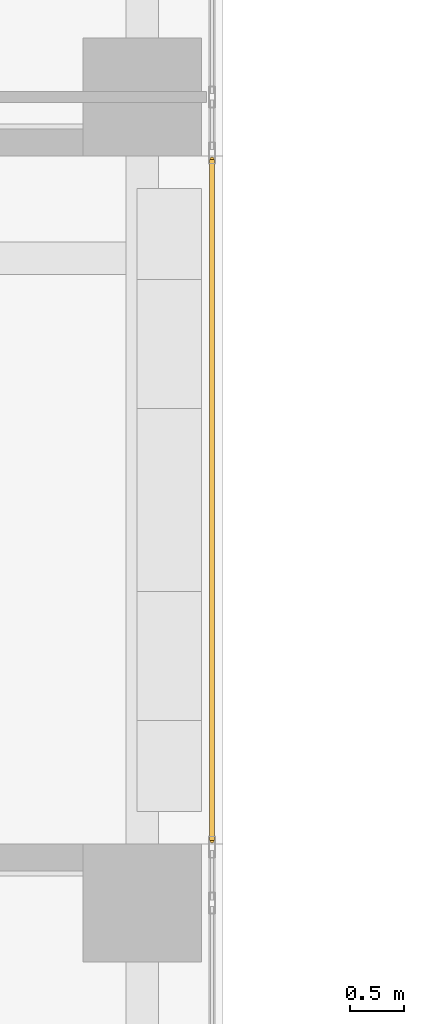
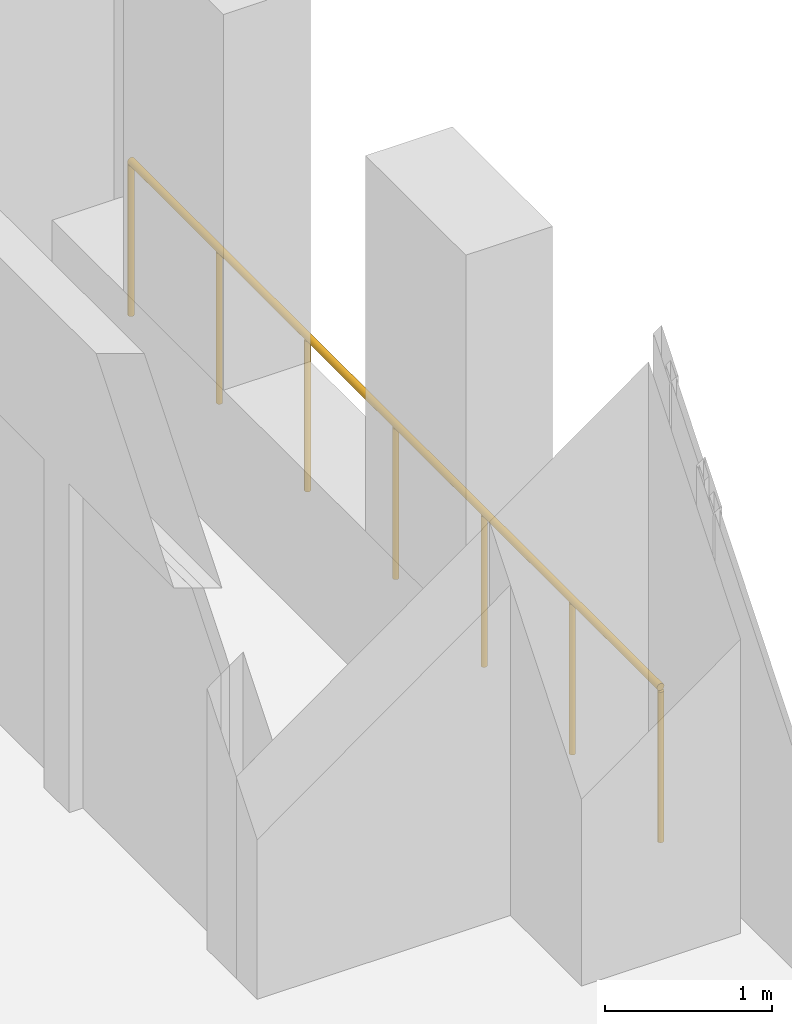
# One storey, part 34 of 35: 1 railing.
"""IFC4 building model written with IfcOpenShell, lengths in metres."""

from ifc_helpers import new_model, si_unit, direction, frame, origin, origin_2d, place, context, subcontext, project, spatial, circle, extrude, source, transform, mapped, material, type_object, element, save


model = new_model("IFC4")

# Units and contexts
model_context = context("Model", 3, precision=1e-05, world=origin(), true_north=direction((0.0, 1.0)))
body_context = subcontext(model_context, "Body", "Model", "MODEL_VIEW")
ifc_project = project(units=[si_unit("LENGTHUNIT", "METRE"), si_unit("AREAUNIT", "SQUARE_METRE"), si_unit("VOLUMEUNIT", "CUBIC_METRE"), si_unit("PLANEANGLEUNIT", "RADIAN"), si_unit("MASSUNIT", "GRAM", prefix="KILO")], contexts=[model_context])

# Site, building, storey
site_placement = place(None, origin())
site = spatial("IfcSite", under=ifc_project, at=site_placement, CompositionType="ELEMENT")
building_placement = place(site_placement, origin())
building = spatial("IfcBuilding", under=site, at=building_placement, Name="Khomas Fold Tower", CompositionType="ELEMENT")
storey_placement = place(building_placement, frame((0.0, 0.0, 132.300048828125)))
storey = spatial("IfcBuildingStorey", under=building, at=storey_placement, Name="L28", CompositionType="ELEMENT", Elevation=132.300048828125)

# Railing
ifc_material = material(Name="Powder-coated steel", Category="steel")
railing_type = type_object("IfcRailingType", Name="Balcony guard", PredefinedType="GUARDRAIL", material=ifc_material)
shared_shape = source(origin(), body_context, "Body", "SweptSolid", [
    extrude(circle(Radius=0.02490234375, at=origin_2d()), frame((0.0, 0.0, 1.125), z_axis=(0.0, 1.0, 0.0), x_axis=(-1.0, 0.0, 0.0)), (0.0, 0.0, 1.0), 6.33984375),
    extrude(circle(Radius=0.02001953125, at=origin_2d()), origin(), (0.0, 0.0, 1.0), 1.099853515625),
    extrude(circle(Radius=0.02001953125, at=origin_2d()), frame((0.0, 1.056640625, 0.0)), (0.0, 0.0, 1.0), 1.099853515625),
    extrude(circle(Radius=0.02001953125, at=origin_2d()), frame((0.0, 2.11328125, 0.0)), (0.0, 0.0, 1.0), 1.099853515625),
    extrude(circle(Radius=0.02001953125, at=origin_2d()), frame((0.0, 3.169921875, 0.0)), (0.0, 0.0, 1.0), 1.099853515625),
    extrude(circle(Radius=0.02001953125, at=origin_2d()), frame((0.0, 4.2265625, 0.0)), (0.0, 0.0, 1.0), 1.099853515625),
    extrude(circle(Radius=0.02001953125, at=origin_2d()), frame((0.0, 5.283203125, 0.0)), (0.0, 0.0, 1.0), 1.099853515625),
    extrude(circle(Radius=0.02001953125, at=origin_2d()), frame((0.0, 6.33984375, 0.0)), (0.0, 0.0, 1.0), 1.099853515625),
])
railing_placement = place(storey_placement, frame((52.39990234375, 35.080078125, -0.045166015625)))
element("IfcRailing", 1, at=railing_placement, inside=storey, type_object=railing_type, Name="Balcony guard BAL-L28-E4", PredefinedType="GUARDRAIL", context=body_context, shape_type="MappedRepresentation", body=[
    mapped(shared_shape, transform((0.0, 0.0, 0.0))),
])

save(model, "model.ifc")
